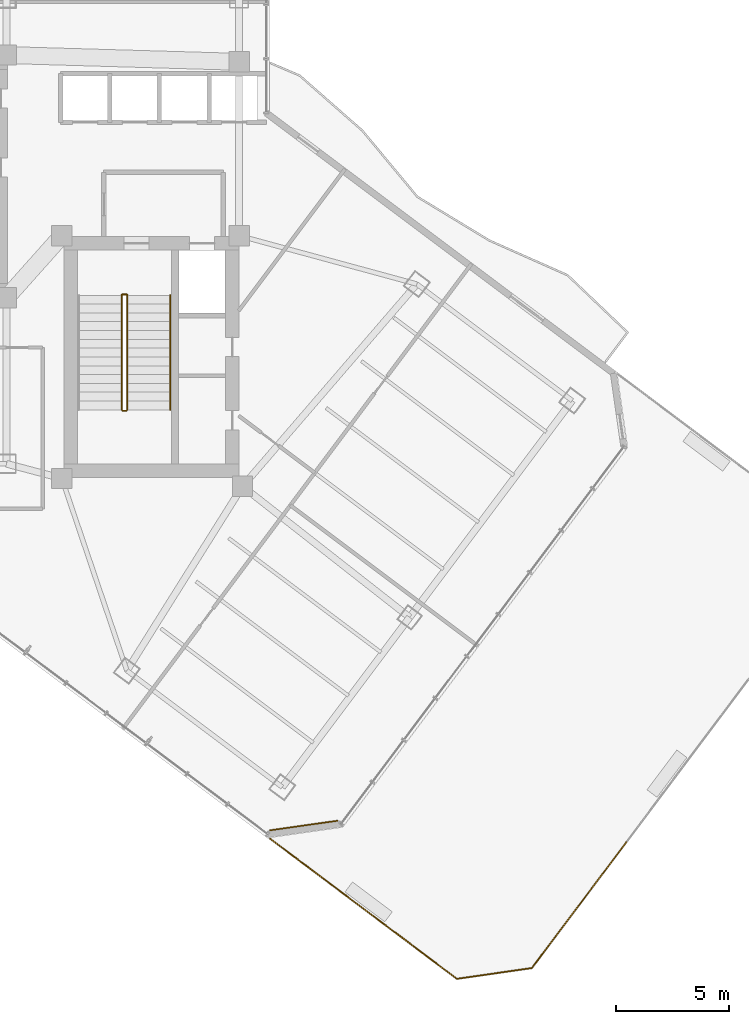
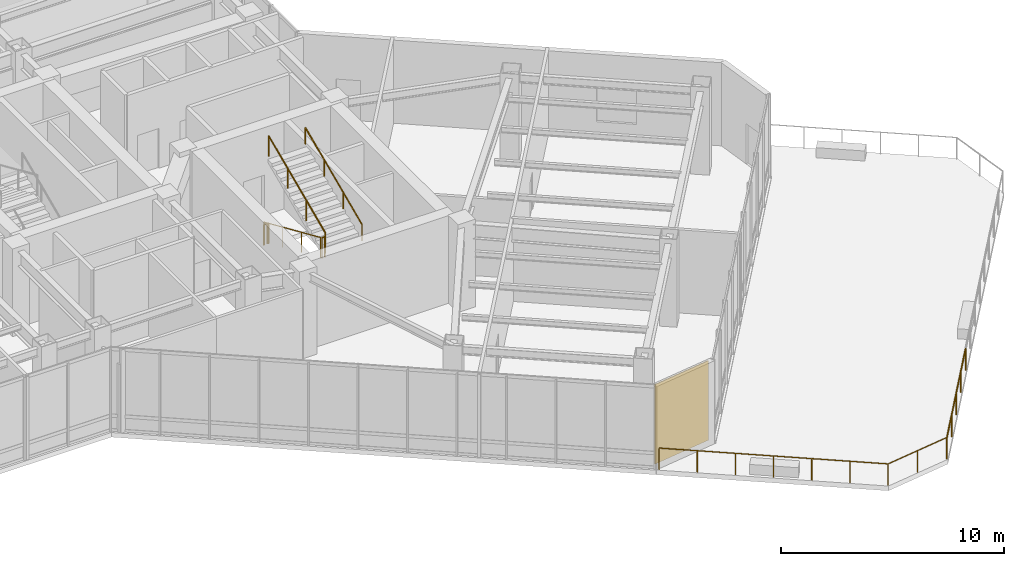
# One storey, part 27 of 30: 18 railings, 1 covering.
"""IFC4 building model written with IfcOpenShell, lengths in metres."""

from ifc_helpers import new_model, si_unit, direction, frame, origin, origin_2d, place, context, subcontext, project, spatial, rectangle, circle, extrude, material, layer, layer_set, type_object, element, save


model = new_model("IFC4")

# Units and contexts
model_context = context("Model", 3, precision=1e-05, world=origin(), true_north=direction((0.0, 1.0)))
body_context = subcontext(model_context, "Body", "Model", "MODEL_VIEW")
ifc_project = project(units=[si_unit("LENGTHUNIT", "METRE"), si_unit("AREAUNIT", "SQUARE_METRE"), si_unit("VOLUMEUNIT", "CUBIC_METRE"), si_unit("PLANEANGLEUNIT", "RADIAN"), si_unit("MASSUNIT", "GRAM", prefix="KILO")], contexts=[model_context])

# Site, building, storey
site_placement = place(None, origin())
site = spatial("IfcSite", under=ifc_project, at=site_placement, CompositionType="ELEMENT")
building_placement = place(site_placement, origin())
building = spatial("IfcBuilding", under=site, at=building_placement, Name="Hatsunagi Terrace Concourse", CompositionType="ELEMENT")
storey_placement = place(building_placement, frame((0.0, 0.0, 130.050048828125)))
storey = spatial("IfcBuildingStorey", under=building, at=storey_placement, Name="L34", CompositionType="ELEMENT", Elevation=130.050048828125)

# Railings
ifc_material_1 = material(Name="Stainless steel", Category="steel")
ifc_layer_1 = layer(ifc_material_1, 0.044921875)
ifc_layer_set_1 = layer_set([ifc_layer_1], Name="StairPitchHandrail_Tower2000")
railing_type_1 = type_object("IfcRailingType", Name="StairPitchHandrail_Tower2000", PredefinedType="HANDRAIL", material=ifc_layer_set_1)
railing_1_placement = place(storey_placement, frame((40.60009765625, 27.590087890625, 2.5712890625)))
element("IfcRailing", 1, at=railing_1_placement, inside=storey, type_object=railing_type_1, Name="L34 ST-B stair handrail 2", PredefinedType="HANDRAIL", context=body_context, shape_type="SweptSolid", body=[
    extrude(circle(Radius=0.02392578125, at=origin_2d()), frame((0.0, 0.0, 0.8759765625), z_axis=(0.0, 0.915445640336, 0.402441647435), x_axis=(-1.0, 0.0, 0.0)), (0.0, 0.0, 1.0), 5.5380859375),
    extrude(circle(Radius=0.02099609375, at=origin_2d()), origin(), (0.0, 0.0, 1.0), 0.851806640625),
    extrude(circle(Radius=0.02099609375, at=origin_2d()), frame((0.0, 1.68994140625, 0.742919921875)), (0.0, 0.0, 1.0), 0.851806640625),
    extrude(circle(Radius=0.02099609375, at=origin_2d()), frame((0.0, 3.3798828125, 1.48583984375)), (0.0, 0.0, 1.0), 0.851806640625),
    extrude(circle(Radius=0.02099609375, at=origin_2d()), frame((0.0, 5.06982421875, 2.228759765625)), (0.0, 0.0, 1.0), 0.851806640625),
])
ifc_material_2 = material(Name="Stainless steel", Category="steel")
ifc_layer_2 = layer(ifc_material_2, 0.06005859375)
ifc_layer_set_2 = layer_set([ifc_layer_2], Name="StairWellGuard_Tower2000")
railing_type_2 = type_object("IfcRailingType", Name="StairWellGuard_Tower2000", PredefinedType="BALUSTRADE", material=ifc_layer_set_2)
railing_2_placement = place(storey_placement, frame((38.449951171875, 32.659912109375, 0.17138671875)))
element("IfcRailing", 2, at=railing_2_placement, inside=storey, type_object=railing_type_2, Name="L34 ST-B stair guard 1", PredefinedType="BALUSTRADE", context=body_context, shape_type="SweptSolid", body=[
    extrude(circle(Radius=0.02392578125, at=origin_2d()), frame((0.0, 0.0, 1.09619140625), z_axis=(0.0, -0.915461880969, 0.402404702373), x_axis=(1.0, 0.0, 0.0)), (0.0, 0.0, 1.0), 5.5380859375),
    extrude(circle(Radius=0.02099609375, at=origin_2d()), origin(), (0.0, 0.0, 1.0), 1.072021484375),
    extrude(circle(Radius=0.02099609375, at=origin_2d()), frame((0.0, -1.68994140625, 0.742919921875)), (0.0, 0.0, 1.0), 1.072021484375),
    extrude(circle(Radius=0.02099609375, at=origin_2d()), frame((0.0, -3.3798828125, 1.485595703125)), (0.0, 0.0, 1.0), 1.072021484375),
    extrude(circle(Radius=0.02099609375, at=origin_2d()), frame((0.0, -5.06982421875, 2.228515625)), (0.0, 0.0, 1.0), 1.072021484375),
])
railing_3_placement = place(storey_placement, frame((38.5, 27.5400390625, 2.39990234375)))
element("IfcRailing", 3, at=railing_3_placement, inside=storey, type_object=railing_type_2, Name="L34 ST-B stair guard 2", PredefinedType="BALUSTRADE", context=body_context, shape_type="SweptSolid", body=[
    extrude(circle(Radius=0.02392578125, at=origin_2d()), frame((0.0, 0.0, 1.09619140625), z_axis=(1.0, 0.0, 0.0), x_axis=(0.0, 1.0, 0.0)), (0.0, 0.0, 1.0), 0.14990234375),
    extrude(circle(Radius=0.02099609375, at=origin_2d()), origin(), (0.0, 0.0, 1.0), 1.072021484375),
    extrude(circle(Radius=0.02099609375, at=origin_2d()), frame((0.14990234375, 0.0, 0.0)), (0.0, 0.0, 1.0), 1.072021484375),
])
railing_4_placement = place(storey_placement, frame((38.699951171875, 27.590087890625, 2.5712890625)))
element("IfcRailing", 4, at=railing_4_placement, inside=storey, type_object=railing_type_2, Name="L34 ST-B stair guard 3", PredefinedType="BALUSTRADE", context=body_context, shape_type="SweptSolid", body=[
    extrude(circle(Radius=0.02392578125, at=origin_2d()), frame((0.0, 0.0, 1.09619140625), z_axis=(0.0, 0.915445640336, 0.402441647435), x_axis=(-1.0, 0.0, 0.0)), (0.0, 0.0, 1.0), 5.5380859375),
    extrude(circle(Radius=0.02099609375, at=origin_2d()), origin(), (0.0, 0.0, 1.0), 1.072021484375),
    extrude(circle(Radius=0.02099609375, at=origin_2d()), frame((0.0, 1.68994140625, 0.742919921875)), (0.0, 0.0, 1.0), 1.072021484375),
    extrude(circle(Radius=0.02099609375, at=origin_2d()), frame((0.0, 3.3798828125, 1.48583984375)), (0.0, 0.0, 1.0), 1.072021484375),
    extrude(circle(Radius=0.02099609375, at=origin_2d()), frame((0.0, 5.06982421875, 2.228759765625)), (0.0, 0.0, 1.0), 1.072021484375),
])
railing_5_placement = place(storey_placement, frame((38.5, 32.7099609375, 0.0)))
element("IfcRailing", 5, at=railing_5_placement, inside=storey, type_object=railing_type_2, Name="L34 ST-B stair guard 4", PredefinedType="BALUSTRADE", context=body_context, shape_type="SweptSolid", body=[
    extrude(circle(Radius=0.02392578125, at=origin_2d()), frame((0.0, 0.0, 1.09619140625), z_axis=(1.0, 0.0, 0.0), x_axis=(0.0, 1.0, 0.0)), (0.0, 0.0, 1.0), 0.14990234375),
    extrude(circle(Radius=0.02099609375, at=origin_2d()), origin(), (0.0, 0.0, 1.0), 1.072021484375),
    extrude(circle(Radius=0.02099609375, at=origin_2d()), frame((0.14990234375, 0.0, 0.0)), (0.0, 0.0, 1.0), 1.072021484375),
])
ifc_material_3 = material(Name="Stainless Steel SUS316 Post-and-Rail Guard", Category="steel")
ifc_layer_3 = layer(ifc_material_3, 0.080078125)
ifc_layer_set_3 = layer_set([ifc_layer_3], Name="TerracePlantedGuardRail_1200")
railing_type_3 = type_object("IfcRailingType", Name="TerracePlantedGuardRail_1200", PredefinedType="GUARDRAIL", material=ifc_layer_set_3)
railing_6_placement = place(storey_placement, frame((38.449951171875, 32.679931640625, 0.0)))
element("IfcRailing", 6, at=railing_6_placement, inside=storey, type_object=railing_type_3, Name="Stair ST-B Well Closure Guard L34", PredefinedType="GUARDRAIL", context=body_context, shape_type="SweptSolid", body=[
    extrude(circle(Radius=0.02392578125, at=origin_2d()), frame((0.0, 0.0, 1.09619140625), z_axis=(1.0, 0.0, 0.0), x_axis=(0.0, 1.0, 0.0)), (0.0, 0.0, 1.0), 0.25),
    extrude(circle(Radius=0.02099609375, at=origin_2d()), origin(), (0.0, 0.0, 1.0), 1.072021484375),
    extrude(circle(Radius=0.02099609375, at=origin_2d()), frame((0.25, 0.0, 0.0)), (0.0, 0.0, 1.0), 1.072021484375),
])
for number, where, name in (
    (7, (60.802001953125, 8.451904296875, 0.010009765625), "Sky Garden Guardrail GRD-02 TER-L34-1-1 #17"),
    (8, (59.75390625, 7.054931640625, 0.010009765625), "Sky Garden Guardrail GRD-02 TER-L34-1-1 #18"),
):
    element("IfcRailing", number, at=place(storey_placement, frame(where)), inside=storey, type_object=railing_type_3, Name=name, PredefinedType="GUARDRAIL", context=body_context, shape_type="SweptSolid", body=[
        extrude(circle(Radius=0.02392578125, at=origin_2d()), frame((0.0, 0.0, 1.17578125), z_axis=(-0.600561649669, -0.799578454529, 0.0), x_axis=(0.799578454529, -0.600561649669, 0.0)), (0.0, 0.0, 1.0), 1.73828125),
        extrude(circle(Radius=0.02099609375, at=origin_2d()), origin(), (0.0, 0.0, 1.0), 1.15185546875),
        extrude(circle(Radius=0.02099609375, at=origin_2d()), frame((-1.0439453125, -1.389892578125, 0.0)), (0.0, 0.0, 1.0), 1.15185546875),
    ])
railing_7_placement = place(storey_placement, frame((58.7060546875, 5.657958984375, 0.010009765625)))
element("IfcRailing", 9, at=railing_7_placement, inside=storey, type_object=railing_type_3, Name="Sky Garden Guardrail GRD-02 TER-L34-1-1 #19", PredefinedType="GUARDRAIL", context=body_context, shape_type="SweptSolid", body=[
    extrude(circle(Radius=0.02392578125, at=origin_2d()), frame((0.0, 0.0, 1.17578125), z_axis=(-0.600291963606, -0.799780944028, 0.0), x_axis=(0.799780944028, -0.600291963606, 0.0)), (0.0, 0.0, 1.0), 1.739013671875),
    extrude(circle(Radius=0.02099609375, at=origin_2d()), origin(), (0.0, 0.0, 1.0), 1.15185546875),
    extrude(circle(Radius=0.02099609375, at=origin_2d()), frame((-1.0439453125, -1.390869140625, 0.0)), (0.0, 0.0, 1.0), 1.15185546875),
])
railing_8_placement = place(storey_placement, frame((57.657958984375, 4.260986328125, 0.010009765625)))
element("IfcRailing", 10, at=railing_8_placement, inside=storey, type_object=railing_type_3, Name="Sky Garden Guardrail GRD-02 TER-L34-1-1 #20", PredefinedType="GUARDRAIL", context=body_context, shape_type="SweptSolid", body=[
    extrude(circle(Radius=0.02392578125, at=origin_2d()), frame((0.0, 0.0, 1.17578125), z_axis=(-0.600134475438, -0.799899125759, 0.0), x_axis=(0.799899125759, -0.600134475438, 0.0)), (0.0, 0.0, 1.0), 1.74267578125),
    extrude(circle(Radius=0.02099609375, at=origin_2d()), origin(), (0.0, 0.0, 1.0), 1.15185546875),
    extrude(circle(Radius=0.02099609375, at=origin_2d()), frame((-1.0458984375, -1.39404296875, 0.0)), (0.0, 0.0, 1.0), 1.15185546875),
])
railing_9_placement = place(storey_placement, frame((56.612060546875, 2.866943359375, 0.010009765625)))
element("IfcRailing", 11, at=railing_9_placement, inside=storey, type_object=railing_type_3, Name="Sky Garden Guardrail GRD-02 TER-L34-1-1 #21", PredefinedType="GUARDRAIL", context=body_context, shape_type="SweptSolid", body=[
    extrude(circle(Radius=0.02392578125, at=origin_2d()), frame((0.0, 0.0, 1.17578125), z_axis=(-0.989908589236, -0.141707392031, 0.0), x_axis=(0.141707392031, -0.989908589236, 0.0)), (0.0, 0.0, 1.0), 1.6728515625),
    extrude(circle(Radius=0.02099609375, at=origin_2d()), origin(), (0.0, 0.0, 1.0), 1.15185546875),
    extrude(circle(Radius=0.02099609375, at=origin_2d()), frame((-1.656005859375, -0.237060546875, 0.0)), (0.0, 0.0, 1.0), 1.15185546875),
])
railing_10_placement = place(storey_placement, frame((54.948974609375, 2.62890625, 0.010009765625)))
element("IfcRailing", 12, at=railing_10_placement, inside=storey, type_object=railing_type_3, Name="Sky Garden Guardrail GRD-02 TER-L34-1-1 #22", PredefinedType="GUARDRAIL", context=body_context, shape_type="SweptSolid", body=[
    extrude(circle(Radius=0.02392578125, at=origin_2d()), frame((0.0, 0.0, 1.17578125), z_axis=(-0.989929051357, -0.141564378566, 0.0), x_axis=(0.141564378566, -0.989929051357, 0.0)), (0.0, 0.0, 1.0), 1.6728515625),
    extrude(circle(Radius=0.02099609375, at=origin_2d()), origin(), (0.0, 0.0, 1.0), 1.15185546875),
    extrude(circle(Radius=0.02099609375, at=origin_2d()), frame((-1.656005859375, -0.23681640625, 0.0)), (0.0, 0.0, 1.0), 1.15185546875),
])
railing_11_placement = place(storey_placement, frame((53.29296875, 2.39208984375, 0.010009765625)))
element("IfcRailing", 13, at=railing_11_placement, inside=storey, type_object=railing_type_3, Name="Sky Garden Guardrail GRD-02 TER-L34-1-1 #23", PredefinedType="GUARDRAIL", context=body_context, shape_type="SweptSolid", body=[
    extrude(circle(Radius=0.02392578125, at=origin_2d()), frame((0.0, 0.0, 1.17578125), z_axis=(-0.799795460379, 0.600272622695, 0.0), x_axis=(-0.600272622695, -0.799795460379, 0.0)), (0.0, 0.0, 1.0), 1.71923828125),
    extrude(circle(Radius=0.02099609375, at=origin_2d()), origin(), (0.0, 0.0, 1.0), 1.15185546875),
    extrude(circle(Radius=0.02099609375, at=origin_2d()), frame((-1.375, 1.031982421875, 0.0)), (0.0, 0.0, 1.0), 1.15185546875),
])
railing_12_placement = place(storey_placement, frame((51.910888671875, 3.428955078125, 0.010009765625)))
element("IfcRailing", 14, at=railing_12_placement, inside=storey, type_object=railing_type_3, Name="Sky Garden Guardrail GRD-02 TER-L34-1-1 #24", PredefinedType="GUARDRAIL", context=body_context, shape_type="SweptSolid", body=[
    extrude(circle(Radius=0.02392578125, at=origin_2d()), frame((0.0, 0.0, 1.17578125), z_axis=(-0.799948745694, 0.600068332995, 0.0), x_axis=(-0.600068332995, -0.799948745694, 0.0)), (0.0, 0.0, 1.0), 1.71484375),
    extrude(circle(Radius=0.02099609375, at=origin_2d()), origin(), (0.0, 0.0, 1.0), 1.15185546875),
    extrude(circle(Radius=0.02099609375, at=origin_2d()), frame((-1.371826171875, 1.029052734375, 0.0)), (0.0, 0.0, 1.0), 1.15185546875),
])
for number, where, name in (
    (15, (50.531982421875, 4.462890625, 0.010009765625), "Sky Garden Guardrail GRD-02 TER-L34-1-1 #25"),
    (16, (49.154052734375, 5.4970703125, 0.010009765625), "Sky Garden Guardrail GRD-02 TER-L34-1-1 #26"),
):
    element("IfcRailing", number, at=place(storey_placement, frame(where)), inside=storey, type_object=railing_type_3, Name=name, PredefinedType="GUARDRAIL", context=body_context, shape_type="SweptSolid", body=[
        extrude(circle(Radius=0.02392578125, at=origin_2d()), frame((0.0, 0.0, 1.17578125), z_axis=(-0.799726700819, 0.600364226113, 0.0), x_axis=(-0.600364226113, -0.799726700819, 0.0)), (0.0, 0.0, 1.0), 1.715576171875),
        extrude(circle(Radius=0.02099609375, at=origin_2d()), origin(), (0.0, 0.0, 1.0), 1.15185546875),
        extrude(circle(Radius=0.02099609375, at=origin_2d()), frame((-1.3720703125, 1.030029296875, 0.0)), (0.0, 0.0, 1.0), 1.15185546875),
    ])
railing_13_placement = place(storey_placement, frame((47.77490234375, 6.531982421875, 0.010009765625)))
element("IfcRailing", 17, at=railing_13_placement, inside=storey, type_object=railing_type_3, Name="Sky Garden Guardrail GRD-02 TER-L34-1-1 #27", PredefinedType="GUARDRAIL", context=body_context, shape_type="SweptSolid", body=[
    extrude(circle(Radius=0.02392578125, at=origin_2d()), frame((0.0, 0.0, 1.17578125), z_axis=(-0.799948745694, 0.600068332995, 0.0), x_axis=(-0.600068332995, -0.799948745694, 0.0)), (0.0, 0.0, 1.0), 1.71484375),
    extrude(circle(Radius=0.02099609375, at=origin_2d()), origin(), (0.0, 0.0, 1.0), 1.15185546875),
    extrude(circle(Radius=0.02099609375, at=origin_2d()), frame((-1.371826171875, 1.029052734375, 0.0)), (0.0, 0.0, 1.0), 1.15185546875),
])
railing_14_placement = place(storey_placement, frame((46.39599609375, 7.56591796875, 0.010009765625)))
element("IfcRailing", 18, at=railing_14_placement, inside=storey, type_object=railing_type_3, Name="Sky Garden Guardrail GRD-02 TER-L34-1-1 #28", PredefinedType="GUARDRAIL", context=body_context, shape_type="SweptSolid", body=[
    extrude(circle(Radius=0.02392578125, at=origin_2d()), frame((0.0, 0.0, 1.17578125), z_axis=(-0.799795460379, 0.600272622695, 0.0), x_axis=(-0.600272622695, -0.799795460379, 0.0)), (0.0, 0.0, 1.0), 1.71923828125),
    extrude(circle(Radius=0.02099609375, at=origin_2d()), origin(), (0.0, 0.0, 1.0), 1.15185546875),
    extrude(circle(Radius=0.02099609375, at=origin_2d()), frame((-1.375, 1.031982421875, 0.0)), (0.0, 0.0, 1.0), 1.15185546875),
])

# Covering
ifc_material_4 = material(Name="Unglazed Warm Terracotta Rainscreen Tile", Category="masonry")
ifc_layer_4 = layer(ifc_material_4, 0.044921875)
ifc_layer_set_4 = layer_set([ifc_layer_4], Name="TerracottaRainscreenCladding_45")
covering_type = type_object("IfcCoveringType", Name="TerracottaRainscreenCladding_45", PredefinedType="CLADDING", material=ifc_layer_set_4)
covering_placement = place(storey_placement, frame((46.51806640625, 9.178955078125, 0.099853515625), z_axis=(0.0, 0.0, 1.0), x_axis=(-0.989973920543, -0.141250262458, 0.0)))
element("IfcCovering", 19, at=covering_placement, inside=storey, type_object=covering_type, Name="Terracotta Rainscreen Cladding L34-04", PredefinedType="CLADDING", context=body_context, shape_type="SweptSolid", body=[
    extrude(rectangle(XDim=3.0380859375, YDim=0.044921875, at=origin_2d()), origin(), (0.0, 0.0, 1.0), 4.35009765625),
])

save(model, "model.ifc")
